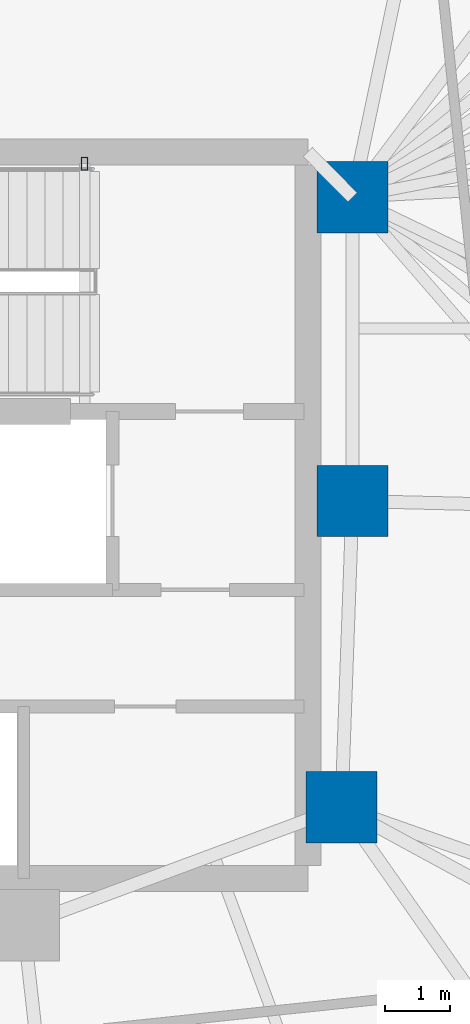
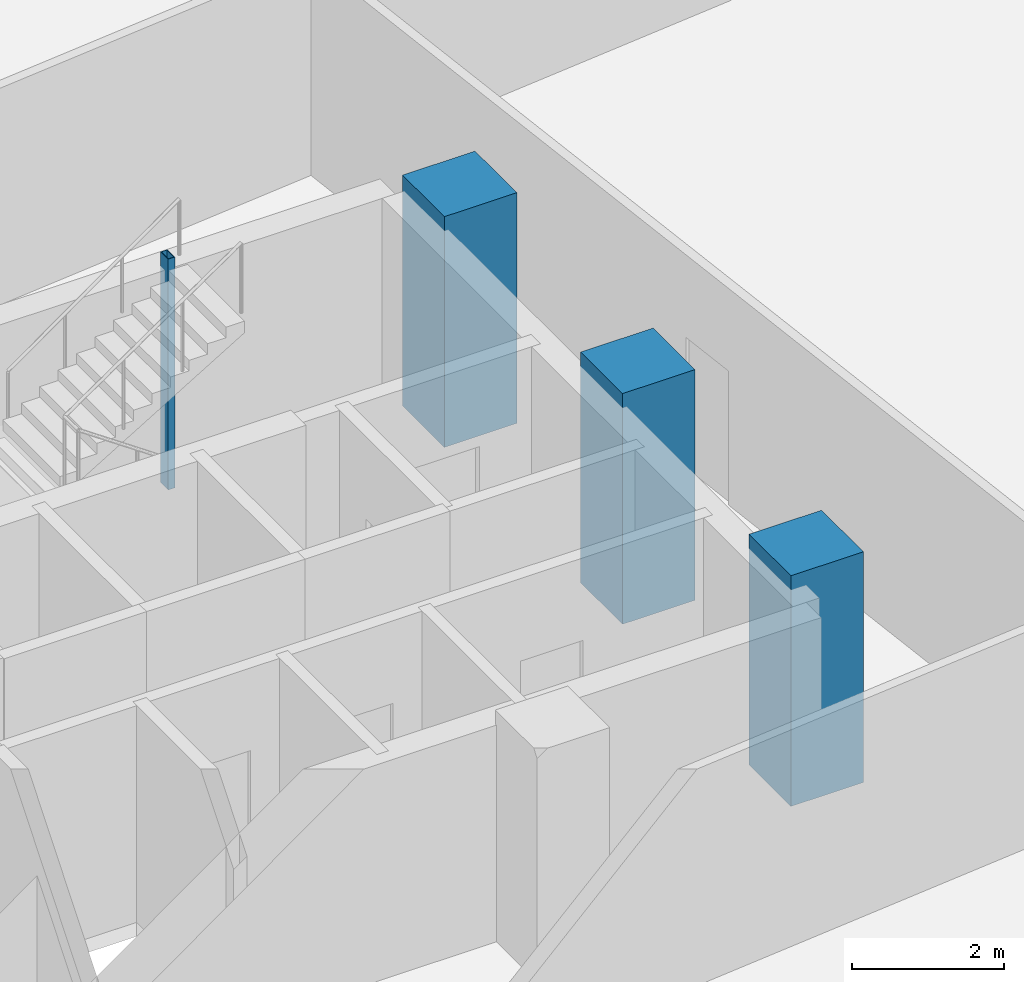
# One storey, part 4 of 17: 4 columns.
"""IFC4 building model written with IfcOpenShell, lengths in metres."""

import ifcopenshell
import ifcopenshell.guid

model = None  # the IFC model being written
_history = None  # IfcOwnerHistory: only IFC2X3 demands one
_inside = {}  # id of a spatial element -> (the spatial element, [elements in it])
_under = {}  # id of a project, library or spatial element -> (it, [spatial elements below it])
_declared = {}  # id of a project -> (the project, [libraries it declares])
_typed = {}  # id of a type object -> (the type object, [elements of that type])
_made_of = {}  # id of a material, layer set ... -> (it, [elements and type objects made of it])


def new_model(schema):
    """Start an empty IFC model of exactly this schema.

    Asked for "IFC4X3", IfcOpenShell would pick the latest addendum, in which some entities
    have other attributes; the version numbers below select the first issue.
    IFC2X3 requires an IfcOwnerHistory on every rooted entity: one is made here for all.
    """
    global model, _history
    if schema == "IFC4X3":
        model = ifcopenshell.file(schema_version=(4, 3, 0, 0))
    else:
        model = ifcopenshell.file(schema=schema)
    _inside.clear()
    _under.clear()
    _declared.clear()
    _typed.clear()
    _made_of.clear()
    _history = None
    if model.schema == "IFC2X3":
        org = make("IfcOrganization", Name="unknown")
        user = make(
            "IfcPersonAndOrganization",
            ThePerson=make("IfcPerson", FamilyName="unknown"),
            TheOrganization=org,
        )
        app = make(
            "IfcApplication",
            ApplicationDeveloper=org,
            Version="unknown",
            ApplicationFullName="unknown",
            ApplicationIdentifier="unknown",
        )
        _history = make(
            "IfcOwnerHistory",
            OwningUser=user,
            OwningApplication=app,
            ChangeAction="ADDED",
            CreationDate=0,
        )
    return model


def make(cls, **values):
    """One entity of the class cls with the attributes given. An attribute that is None is left unset."""
    return model.create_entity(
        cls, **{name: value for name, value in values.items() if value is not None}
    )


def rooted(cls, **values):
    """An entity with a GlobalId (a new one), such as an element, a storey or a relation."""
    return make(cls, GlobalId=ifcopenshell.guid.new(), OwnerHistory=_history, **values)


def si_unit(unit_type, name, prefix=None):
    """IfcSIUnit, for example si_unit("LENGTHUNIT", "METRE", prefix="MILLI")."""
    return make("IfcSIUnit", UnitType=unit_type, Prefix=prefix, Name=name)


def assignment(units):
    """IfcUnitAssignment: the units of a project."""
    return None if units is None else make("IfcUnitAssignment", Units=units)


def point(xyz):
    """IfcCartesianPoint."""
    return None if xyz is None else make("IfcCartesianPoint", Coordinates=xyz)


def direction(xyz):
    """IfcDirection."""
    return None if xyz is None else make("IfcDirection", DirectionRatios=xyz)


def frame(location, z_axis=None, x_axis=None):
    """IfcAxis2Placement3D, a coordinate frame: its origin and axes. An axis left out is left unset."""
    return make(
        "IfcAxis2Placement3D",
        Location=point(location),
        Axis=direction(z_axis),
        RefDirection=direction(x_axis),
    )


def frame_2d(location, x_axis=None):
    """IfcAxis2Placement2D, a coordinate frame in the plane: its origin and x axis."""
    return make(
        "IfcAxis2Placement2D", Location=point(location), RefDirection=direction(x_axis)
    )


def origin():
    """The frame at (0, 0, 0) with its axes left unset."""
    return frame((0.0, 0.0, 0.0))


def origin_2d():
    """The frame at (0, 0) in the plane with its x axis left unset."""
    return frame_2d((0.0, 0.0))


def place(relative_to, where):
    """IfcLocalPlacement: puts the frame where relative to a parent placement (None: the world)."""
    return make(
        "IfcLocalPlacement", PlacementRelTo=relative_to, RelativePlacement=where
    )


def context(
    kind, dimensions, precision=None, world=None, true_north=None, identifier=None
):
    """IfcGeometricRepresentationContext, for example the 3D "Model" context."""
    return make(
        "IfcGeometricRepresentationContext",
        ContextIdentifier=identifier,
        ContextType=kind,
        CoordinateSpaceDimension=dimensions,
        Precision=precision,
        WorldCoordinateSystem=world,
        TrueNorth=true_north,
    )


def subcontext(parent, identifier, kind, view, scale=None):
    """IfcGeometricRepresentationSubContext, for example "Body" below "Model"."""
    return make(
        "IfcGeometricRepresentationSubContext",
        ContextIdentifier=identifier,
        ContextType=kind,
        ParentContext=parent,
        TargetScale=scale,
        TargetView=view,
    )


def project(units=None, contexts=None):
    """IfcProject with its units and contexts."""
    return rooted(
        "IfcProject",
        Name="project",
        RepresentationContexts=contexts,
        UnitsInContext=assignment(units),
    )


def spatial(cls, under=None, at=None, **own):
    """A site, building, storey or space (cls), placed at a placement, below another one or the project."""
    s = rooted(cls, ObjectPlacement=at, **own)
    if under is not None:
        _under.setdefault(under.id(), (under, []))[1].append(s)
    return s


def profile(cls, at=None, kind="AREA", **sizes):
    """A parametric profile (cls). Its sizes go by their IFC names, for example OverallWidth=200.0."""
    return make(cls, ProfileType=kind, Position=at, **sizes)


def rectangle(**sizes):
    """IfcRectangleProfileDef."""
    return profile("IfcRectangleProfileDef", **sizes)


def hollow_rectangle(**sizes):
    """IfcRectangleHollowProfileDef."""
    return profile("IfcRectangleHollowProfileDef", **sizes)


def extrude(swept, where, along, depth):
    """IfcExtrudedAreaSolid: the profile swept, set in the frame where, extruded along a direction by depth."""
    return make(
        "IfcExtrudedAreaSolid",
        SweptArea=swept,
        Position=where,
        ExtrudedDirection=direction(along),
        Depth=depth,
    )


def shape(context_of_items, identifier, shape_type, items):
    """IfcShapeRepresentation: the items that make up one representation, for example the "Body"."""
    return make(
        "IfcShapeRepresentation",
        ContextOfItems=context_of_items,
        RepresentationIdentifier=identifier,
        RepresentationType=shape_type,
        Items=items,
    )


def material(Name=None, Category=None):
    """IfcMaterial."""
    return make("IfcMaterial", Name=Name, Category=Category)


def material_profile(
    of_material, cross_section, Name=None, Category=None, Priority=None
):
    """IfcMaterialProfile: a cross section and its material."""
    return make(
        "IfcMaterialProfile",
        Name=Name,
        Material=of_material,
        Profile=cross_section,
        Priority=Priority,
        Category=Category,
    )


def profile_set(profiles, Name=None, composite=None):
    """IfcMaterialProfileSet."""
    return make(
        "IfcMaterialProfileSet",
        Name=Name,
        MaterialProfiles=profiles,
        CompositeProfile=composite,
    )


def made_of(thing, what):
    """Note that an element or type object is made of a material, layer set ...; save() writes the relation."""
    if what is not None:
        _made_of.setdefault(what.id(), (what, []))[1].append(thing)
    return thing


def type_object(cls, material=None, **own):
    """A type object (cls), such as IfcWallType, which elements share."""
    return made_of(rooted(cls, **own), material)


def element(
    cls,
    number,
    at=None,
    inside=None,
    cuts=None,
    type_object=None,
    material=None,
    context=None,
    identifier="Body",
    shape_type=None,
    held_by="IfcProductDefinitionShape",
    body=None,
    shapes=None,
    **own,
):
    """One element of the class cls, such as IfcWall. Its Tag is "e" and its number.

    at: its placement. inside: the storey or other place that contains it. cuts: it is an
    opening in that element (IfcRelVoidsElement). A single representation is given by context,
    identifier, shape_type and body (its items); several are given by shapes. held_by: the class
    of the entity that holds the representations. save() writes the other relations.
    """
    e = rooted(cls, Tag="e%d" % number, ObjectPlacement=at, **own)
    if body is not None:
        shapes = [shape(context, identifier, shape_type, body)]
    if shapes is not None:
        e.Representation = make(held_by, Representations=shapes)
    if inside is not None:
        _inside.setdefault(inside.id(), (inside, []))[1].append(e)
    if cuts is not None:
        rooted(
            "IfcRelVoidsElement", RelatingBuildingElement=cuts, RelatedOpeningElement=e
        )
    if type_object is not None:
        _typed.setdefault(type_object.id(), (type_object, []))[1].append(e)
    return made_of(e, material)


def aggregate(whole, parts):
    """IfcRelAggregates: a whole, such as a stair, and the parts it consists of."""
    return rooted("IfcRelAggregates", RelatingObject=whole, RelatedObjects=parts)


def save(model, path):
    """Write the relations noted so far, then the file.

    IfcRelAggregates (storeys below a building ...), IfcRelContainedInSpatialStructure (elements
    in a storey), IfcRelDefinesByType, IfcRelAssociatesMaterial and IfcRelDeclares: one each for
    every whole, place, type object, material and project.
    """
    for whole, parts in _under.values():
        aggregate(whole, parts)
    for where, things in _inside.values():
        rooted(
            "IfcRelContainedInSpatialStructure",
            RelatedElements=things,
            RelatingStructure=where,
        )
    for kind, things in _typed.values():
        rooted("IfcRelDefinesByType", RelatedObjects=things, RelatingType=kind)
    for what, things in _made_of.values():
        rooted("IfcRelAssociatesMaterial", RelatedObjects=things, RelatingMaterial=what)
    for by, libraries in _declared.values():
        rooted("IfcRelDeclares", RelatingContext=by, RelatedDefinitions=libraries)
    model.write(path)


model = new_model("IFC4")

# Units and contexts
model_context = context("Model", 3, precision=1e-05, world=origin(), true_north=direction((0.0, 1.0)))
body_context = subcontext(model_context, "Body", "Model", "MODEL_VIEW")
ifc_project = project(units=[si_unit("LENGTHUNIT", "METRE"), si_unit("AREAUNIT", "SQUARE_METRE"), si_unit("VOLUMEUNIT", "CUBIC_METRE"), si_unit("PLANEANGLEUNIT", "RADIAN"), si_unit("MASSUNIT", "GRAM", prefix="KILO")], contexts=[model_context])

# Site, building, storey
site_placement = place(None, origin())
site = spatial("IfcSite", under=ifc_project, at=site_placement, CompositionType="ELEMENT")
building_placement = place(site_placement, origin())
building = spatial("IfcBuilding", under=site, at=building_placement, Name="Menara Jurai Vektor", CompositionType="ELEMENT")
storey_placement = place(building_placement, frame((0.0, 0.0, 131.800048828125)))
storey = spatial("IfcBuildingStorey", under=building, at=storey_placement, Name="L33", CompositionType="ELEMENT", Elevation=131.800048828125)

# Columns
ifc_material_1 = material(Name="Concrete C50/60", Category="concrete")
ifc_material_profile_1 = material_profile(ifc_material_1, rectangle(XDim=1.10009765625, YDim=1.10009765625, at=origin_2d()), Name="RC 1100x1100")
ifc_profile_set_1 = profile_set([ifc_material_profile_1], Name="Concrete C50/60")
column_type_1 = type_object("IfcColumnType", Name="STR-COL-RC1100", PredefinedType="COLUMN", material=ifc_profile_set_1)
for number, where, z_axis, x_axis, name in (
    (1, (15.25, 4.89990234375, 0.0), (0.0, 0.0, 1.0), (1.0, 0.0, 0.0), "Core Spine Column CE-NE L33"),
    (2, (15.25, 0.219970703125, 0.0), (0.0, 0.0, 1.0), (1.0, 0.0, 0.0), "Core Spine Column CE-EM L33"),
    (3, (15.080078125, -4.5, 0.0), (0.0, 0.0, 1.0), (1.0, 0.0, 0.0), "Core Spine Column CE-SE L33"),
):
    element("IfcColumn", number, at=place(storey_placement, frame(where, z_axis=z_axis, x_axis=x_axis)), inside=storey, type_object=column_type_1, Name=name, PredefinedType="COLUMN", context=body_context, shape_type="SweptSolid", body=[
        extrude(rectangle(XDim=1.10009765625, YDim=1.10009765625, at=origin_2d()), origin(), (0.0, 0.0, 1.0), 3.699951171875),
    ])
ifc_material_2 = material(Name="Steel S355", Category="steel")
ifc_material_profile_2 = material_profile(ifc_material_2, hollow_rectangle(XDim=0.10009765625, YDim=0.199951171875, WallThickness=0.008056640625, at=origin_2d()), Name="RHS 200x100x8")
ifc_profile_set_2 = profile_set([ifc_material_profile_2], Name="Steel S355")
column_type_2 = type_object("IfcColumnType", Name="STR-COL-STAIR", PredefinedType="COLUMN", material=ifc_profile_set_2)
column_placement = place(storey_placement, frame((11.1201171875, 5.419921875, 0.0), z_axis=(0.0, 0.0, 1.0), x_axis=(1.0, 0.0, 0.0)))
element("IfcColumn", 4, at=column_placement, inside=storey, type_object=column_type_2, Name="Stair Well Header Column ST2-P2 L33", PredefinedType="COLUMN", context=body_context, shape_type="SweptSolid", body=[
    extrude(hollow_rectangle(XDim=0.10009765625, YDim=0.199951171875, WallThickness=0.008056640625, at=origin_2d()), origin(), (0.0, 0.0, 1.0), 3.699951171875),
])

save(model, "model.ifc")
